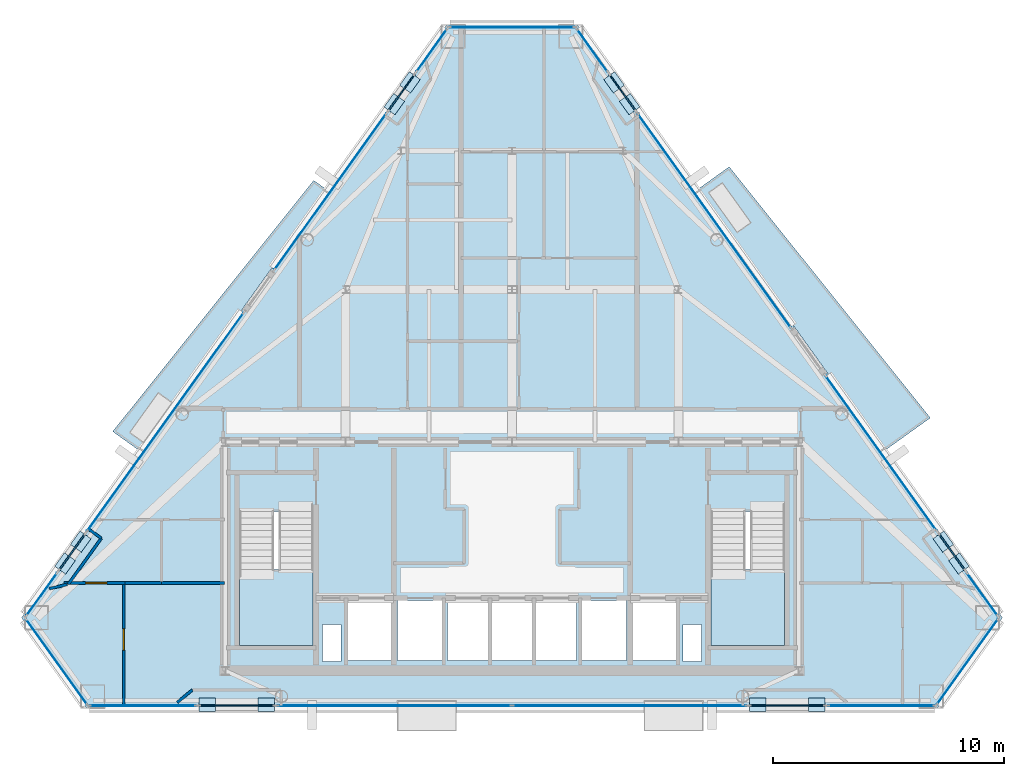
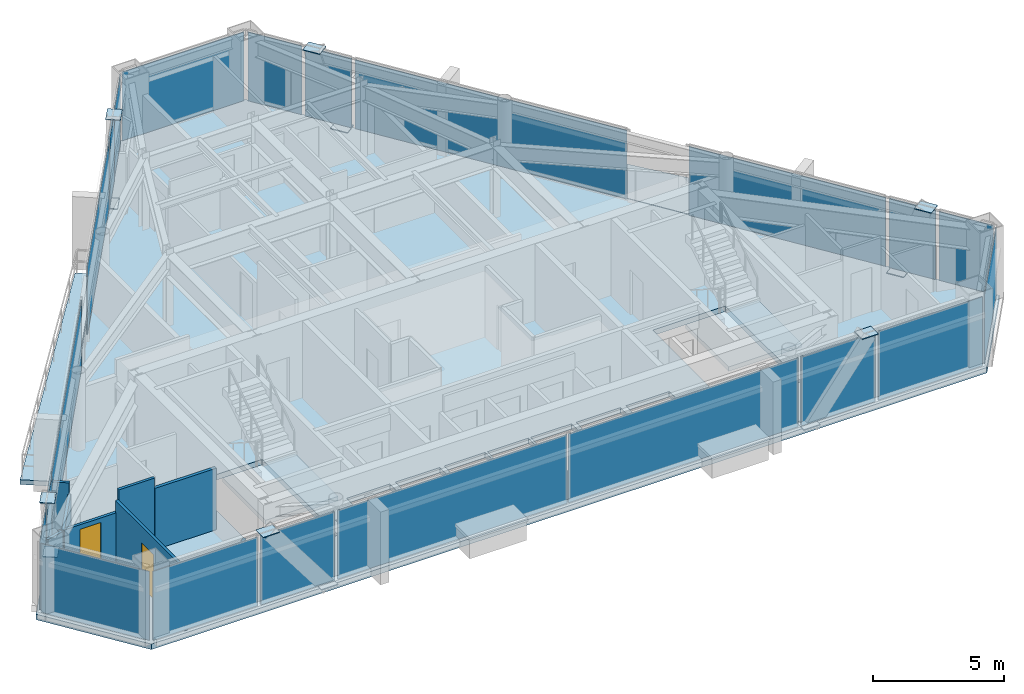
# One storey, part 6 of 11: 33 plates, 8 walls, 5 slabs, 2 doors, 2 openings, 22 elements without a shape of their own.
"""IFC4 building model written with IfcOpenShell, lengths in metres."""

from ifc_helpers import new_model, si_unit, direction, frame, frame_2d, origin, origin_2d, place, context, subcontext, project, spatial, polyline, rectangle, outline, extrude, source, transform, mapped, material, layer, layer_set, type_object, type_shapes, element, fill, aggregate, save


model = new_model("IFC4")

# Units and contexts
model_context = context("Model", 3, precision=1e-05, world=origin(), true_north=direction((0.0, 1.0)))
body_context = subcontext(model_context, "Body", "Model", "MODEL_VIEW")
ifc_project = project(units=[si_unit("LENGTHUNIT", "METRE"), si_unit("AREAUNIT", "SQUARE_METRE"), si_unit("VOLUMEUNIT", "CUBIC_METRE"), si_unit("PLANEANGLEUNIT", "RADIAN"), si_unit("MASSUNIT", "GRAM", prefix="KILO")], contexts=[model_context])

# Site, building, storey
site_placement = place(None, origin())
site = spatial("IfcSite", under=ifc_project, at=site_placement, CompositionType="ELEMENT")
building_placement = place(site_placement, origin())
building = spatial("IfcBuilding", under=site, at=building_placement, Name="Talgorran Terracotta Tower", CompositionType="ELEMENT")
storey_placement = place(building_placement, frame((0.0, 0.0, 237.0)))
storey = spatial("IfcBuildingStorey", under=building, at=storey_placement, Name="L62", CompositionType="ELEMENT", Elevation=237.0)

# Plates
ifc_material_1 = material(Name="Steel Grade 350 (350L0)", Category="steel")
ifc_layer_1 = layer(ifc_material_1, 0.031982421875, Name="PL_CAP_MN07")
ifc_layer_set_1 = layer_set([ifc_layer_1], Name="Steel Grade 350 (350L0)")
plate_type_1 = type_object("IfcPlateType", Name="PL_CAP_MN07", PredefinedType="USERDEFINED", material=ifc_layer_set_1)
for number, where, z_axis, x_axis, name in (
    (1, (-10.626708984375, -15.56787109375, -0.005859375), (0.0, 0.0, 1.0), (-1.0, 0.0, 0.0), "L62 Diagonal Frame End Cap SWF Bot"),
    (2, (-13.19189453125, -15.56787109375, 3.31884765625), (0.0, 0.0, 1.0), (-1.0, 0.0, 0.0), "L62 Diagonal Frame End Cap SWF Top"),
    (3, (10.626708984375, -15.56787109375, -0.005859375), (0.0, 0.0, 1.0), (1.0, 0.0, 0.0), "L62 Diagonal Frame End Cap SEF Bot"),
    (4, (13.19189453125, -15.56787109375, 3.31884765625), (0.0, 0.0, 1.0), (1.0, 0.0, 0.0), "L62 Diagonal Frame End Cap SEF Top"),
    (5, (18.66259765625, -8.510986328125, -0.005859375), (0.0, 0.0, 1.0), (0.582690479669, -0.812694164433, 0.0), "L62 Diagonal Frame End Cap NEL Bot"),
    (6, (19.33935546875, -9.455078125, 3.31884765625), (0.0, 0.0, 1.0), (0.582690479669, -0.812694164433, 0.0), "L62 Diagonal Frame End Cap NEL Top"),
    (7, (5.091796875, 10.417724609375, -0.005859375), (0.0, 0.0, 1.0), (-0.582690479669, 0.812694164433, 0.0), "L62 Diagonal Frame End Cap NEU Bot"),
    (8, (4.414794921875, 11.361572265625, 3.31884765625), (0.0, 0.0, 1.0), (-0.582690479669, 0.812694164433, 0.0), "L62 Diagonal Frame End Cap NEU Top"),
    (9, (-5.091796875, 10.417724609375, -0.005859375), (0.0, 0.0, 1.0), (0.582690479669, 0.812694164433, 0.0), "L62 Diagonal Frame End Cap NWU Bot"),
    (10, (-4.414794921875, 11.361572265625, 3.31884765625), (0.0, 0.0, 1.0), (0.582690479669, 0.812694164433, 0.0), "L62 Diagonal Frame End Cap NWU Top"),
    (11, (-18.66259765625, -8.510986328125, -0.005859375), (0.0, 0.0, 1.0), (-0.582690479669, -0.812694164433, 0.0), "L62 Diagonal Frame End Cap NWL Bot"),
    (12, (-19.33935546875, -9.455078125, 3.31884765625), (0.0, 0.0, 1.0), (-0.582690479669, -0.812694164433, 0.0), "L62 Diagonal Frame End Cap NWL Top"),
):
    element("IfcPlate", number, at=place(storey_placement, frame(where, z_axis=z_axis, x_axis=x_axis)), inside=storey, type_object=plate_type_1, Name=name, ObjectType="CAP PLATE", PredefinedType="USERDEFINED", context=body_context, shape_type="SweptSolid", body=[
        extrude(rectangle(XDim=0.719970703125, YDim=0.580078125, at=origin_2d()), origin(), (0.0, 0.0, 1.0), 0.031982421875),
    ])

# Slabs
ifc_material_2 = material(Name="Concrete C40/50", Category="concrete")
ifc_layer_2 = layer(ifc_material_2, 0.219970703125, Name="SL_BALCONY_220")
ifc_layer_set_2 = layer_set([ifc_layer_2], Name="Concrete C40/50")
slab_type_1 = type_object("IfcSlabType", Name="SL_BALCONY_220", PredefinedType="FLOOR", material=ifc_layer_set_2)
slab_1_placement = place(storey_placement, frame((0.0, 0.0, -0.219970703125)))
element("IfcSlab", 13, at=slab_1_placement, inside=storey, type_object=slab_type_1, Name="L62 Outdoor Wave Balcony BAL-NE", PredefinedType="FLOOR", context=body_context, shape_type="SweptSolid", body=[
    extrude(outline(polyline([(7.97998046875, 6.689697265625), (16.077880859375, -4.60546875), (18.098388671875, -3.15673828125), (9.398681640625, 7.706787109375), (7.97998046875, 6.689697265625)])), origin(), (0.0, 0.0, 1.0), 0.219970703125),
])
slab_2_placement = place(storey_placement, frame((0.0, 0.0, -0.219970703125)))
element("IfcSlab", 14, at=slab_2_placement, inside=storey, type_object=slab_type_1, Name="L62 Outdoor Wave Balcony BAL-NW", PredefinedType="FLOOR", context=body_context, shape_type="SweptSolid", body=[
    extrude(outline(polyline([(-16.077880859375, -4.60546875), (-7.97998046875, 6.689697265625), (-8.576171875, 7.1171875), (-17.27587890625, -3.74658203125), (-16.077880859375, -4.60546875)])), origin(), (0.0, 0.0, 1.0), 0.219970703125),
])

# Stair, slab
stair_type = type_object("IfcStairType", Name="ST_FIRE_SCISSOR", PredefinedType="HALF_TURN_STAIR", material=ifc_material_2)
stair_1_placement = place(storey_placement, origin())
stair_1 = element("IfcStair", 15, at=stair_1_placement, inside=storey, type_object=stair_type, Name="L62 West Protected Fire Stair ST-01", PredefinedType="HALF_TURN_STAIR")
ifc_layer_3 = layer(ifc_material_2, 0.199951171875, Name="SL_LANDING_200")
ifc_layer_set_3 = layer_set([ifc_layer_3], Name="Concrete C40/50")
slab_type_2 = type_object("IfcSlabType", Name="SL_LANDING_200", PredefinedType="LANDING", material=ifc_layer_set_3)
slab_3_placement = place(storey_placement, frame((0.0, 0.0, 1.60009765625)))
slab_3 = element("IfcSlab", 16, at=slab_3_placement, type_object=slab_type_2, Name="ST-01 landing 1", PredefinedType="LANDING", context=body_context, shape_type="SweptSolid", body=[
    extrude(outline(polyline([(-11.800048828125, -9.719970703125), (-11.800048828125, -13.0), (-8.60009765625, -13.0), (-8.60009765625, -9.719970703125), (-11.800048828125, -9.719970703125)])), origin(), (0.0, 0.0, 1.0), 0.199951171875),
])
aggregate(stair_1, [slab_3])

stair_2_placement = place(storey_placement, origin())
stair_2 = element("IfcStair", 17, at=stair_2_placement, inside=storey, type_object=stair_type, Name="L62 East Protected Fire Stair ST-02", PredefinedType="HALF_TURN_STAIR")
slab_4_placement = place(storey_placement, frame((0.0, 0.0, 1.60009765625)))
slab_4 = element("IfcSlab", 18, at=slab_4_placement, type_object=slab_type_2, Name="ST-02 landing 1", PredefinedType="LANDING", context=body_context, shape_type="SweptSolid", body=[
    extrude(outline(polyline([(8.60009765625, -9.719970703125), (8.60009765625, -13.0), (11.800048828125, -13.0), (11.800048828125, -9.719970703125), (8.60009765625, -9.719970703125)])), origin(), (0.0, 0.0, 1.0), 0.199951171875),
])
aggregate(stair_2, [slab_4])

# Slab
ifc_layer_4 = layer(ifc_material_2, 0.2548828125, Name="SL_TOWER_235")
ifc_layer_set_4 = layer_set([ifc_layer_4], Name="Concrete C40/50")
slab_type_3 = type_object("IfcSlabType", Name="SL_TOWER_235", PredefinedType="FLOOR", material=ifc_layer_set_4)
slab_5_placement = place(storey_placement, frame((0.0, 0.0, -0.2548828125)))
element("IfcSlab", 19, at=slab_5_placement, inside=storey, type_object=slab_type_3, Name="Storey L62 Structural Floor Slab", PredefinedType="FLOOR", context=body_context, shape_type="SweptSolid", body=[
    extrude(outline(polyline([(-21.21875, -11.802001953125), (-18.404296875, -15.727783203125), (18.404296875, -15.727783203125), (21.21875, -11.802001953125), (2.814453125, 13.86865234375), (-2.814453125, 13.86865234375), (-21.21875, -11.802001953125)]), holes=[polyline([(-11.800048828125, -7.199951171875), (-11.800048828125, -13.0), (-8.60009765625, -13.0), (-8.60009765625, -7.199951171875), (-11.800048828125, -7.199951171875)]), polyline([(8.60009765625, -7.199951171875), (8.60009765625, -13.0), (11.800048828125, -13.0), (11.800048828125, -7.199951171875), (8.60009765625, -7.199951171875)]), polyline([(-7.10009765625, -13.64990234375), (-5.199951171875, -13.64990234375), (-5.199951171875, -11.050048828125), (-7.10009765625, -11.050048828125), (-7.10009765625, -13.64990234375)]), polyline([(5.199951171875, -13.64990234375), (7.10009765625, -13.64990234375), (7.10009765625, -11.050048828125), (5.199951171875, -11.050048828125), (5.199951171875, -13.64990234375)]), polyline([(3.0, -13.64990234375), (4.949951171875, -13.64990234375), (4.949951171875, -11.050048828125), (3.0, -11.050048828125), (3.0, -13.64990234375)]), polyline([(-4.949951171875, -13.64990234375), (-3.0, -13.64990234375), (-3.0, -11.050048828125), (-4.949951171875, -11.050048828125), (-4.949951171875, -13.64990234375)]), polyline([(-2.800048828125, -13.64990234375), (-1.0, -13.64990234375), (-1.0, -11.050048828125), (-2.800048828125, -11.050048828125), (-2.800048828125, -13.64990234375)]), polyline([(-0.89990234375, -13.64990234375), (0.89990234375, -13.64990234375), (0.89990234375, -11.050048828125), (-0.89990234375, -11.050048828125), (-0.89990234375, -13.64990234375)]), polyline([(1.0, -13.64990234375), (2.800048828125, -13.64990234375), (2.800048828125, -11.050048828125), (1.0, -11.050048828125), (1.0, -13.64990234375)]), polyline([(-8.199951171875, -13.699951171875), (-7.39990234375, -13.699951171875), (-7.39990234375, -12.10009765625), (-8.199951171875, -12.10009765625), (-8.199951171875, -13.699951171875)]), polyline([(7.39990234375, -13.699951171875), (8.199951171875, -13.699951171875), (8.199951171875, -12.10009765625), (7.39990234375, -12.10009765625), (7.39990234375, -13.699951171875)])]), origin(), (0.0, 0.0, 1.0), 0.2548828125),
])

# Curtain wall, plate
ifc_material_3 = material(Name="High-Wind Unitised Glazing", Category="glass")
ifc_layer_5 = layer(ifc_material_3, 0.2099609375, Name="CW_SYS3_RES_HIGH")
ifc_layer_set_5 = layer_set([ifc_layer_5], Name="High-Wind Unitised Glazing")
curtain_wall_type = type_object("IfcCurtainWallType", Name="CW_SYS3_RES_HIGH", PredefinedType="NOTDEFINED", material=ifc_layer_set_5)
curtain_wall_1_placement = place(storey_placement, origin())
curtain_wall_1 = element("IfcCurtainWall", 20, at=curtain_wall_1_placement, inside=storey, type_object=curtain_wall_type, Name="CW-L62-F0", PredefinedType="NOTDEFINED")
ifc_material_4 = material(Name="High-Wind Acoustic Vision Glass", Category="glass")
ifc_layer_6 = layer(ifc_material_4, 0.031982421875, Name="PLT_VISION_32")
ifc_layer_set_6 = layer_set([ifc_layer_6], Name="High-Wind Acoustic Vision Glass")
plate_type_2 = type_object("IfcPlateType", Name="PLT_VISION_32", PredefinedType="CURTAIN_PANEL", material=ifc_layer_set_6)
shared_shape_1 = source(origin(), body_context, "Body", "SweptSolid", [
    extrude(rectangle(XDim=4.542724609375, YDim=0.031982421875, at=origin_2d()), origin(), (0.0, 0.0, 1.0), 3.205078125),
])
plate_1_placement = place(storey_placement, frame((-19.706787109375, -13.704833984375, 0.070068359375), z_axis=(0.0, 0.0, 1.0), x_axis=(0.582661427396, -0.812714993724, 0.0)))
plate_1 = element("IfcPlate", 21, at=plate_1_placement, type_object=plate_type_2, Name="CW-L62-0 panel 1.1", PredefinedType="CURTAIN_PANEL", context=body_context, shape_type="MappedRepresentation", body=[
    mapped(shared_shape_1, transform((0.0, 0.0, 0.0), scale=1.0)),
])
aggregate(curtain_wall_1, [plate_1])

curtain_wall_2_placement = place(storey_placement, origin())
curtain_wall_2 = element("IfcCurtainWall", 22, at=curtain_wall_2_placement, inside=storey, type_object=curtain_wall_type, Name="CW-L62-F2", PredefinedType="NOTDEFINED")
plate_2_placement = place(storey_placement, frame((19.706787109375, -13.704833984375, 0.070068359375), z_axis=(0.0, 0.0, 1.0), x_axis=(0.582661427396, 0.812714993724, 0.0)))
plate_2 = element("IfcPlate", 23, at=plate_2_placement, type_object=plate_type_2, Name="CW-L62-2 panel 1.1", PredefinedType="CURTAIN_PANEL", context=body_context, shape_type="MappedRepresentation", body=[
    mapped(shared_shape_1, transform((0.0, 0.0, 0.0), scale=1.0)),
])
aggregate(curtain_wall_2, [plate_2])

curtain_wall_3_placement = place(storey_placement, origin())
curtain_wall_3 = element("IfcCurtainWall", 24, at=curtain_wall_3_placement, inside=storey, type_object=curtain_wall_type, Name="CW-L62-F1B", PredefinedType="NOTDEFINED")
ifc_material_5 = material(Name="Terracotta Insulated Spandrel", Category="masonry")
ifc_layer_7 = layer(ifc_material_5, 0.06494140625, Name="PLT_SPANDREL_TERRA")
ifc_layer_set_7 = layer_set([ifc_layer_7], Name="Terracotta Insulated Spandrel")
plate_type_3 = type_object("IfcPlateType", Name="PLT_SPANDREL_TERRA", PredefinedType="SHEET", material=ifc_layer_set_7)
shared_shape_2 = source(origin(), body_context, "Body", "SweptSolid", [
    extrude(rectangle(XDim=3.24169921875, YDim=0.06494140625, at=origin_2d()), origin(), (0.0, 0.0, 1.0), 3.205078125),
])
plate_3_placement = place(storey_placement, frame((-11.9091796875, -15.60791015625, 0.070068359375), z_axis=(0.0, 0.0, 1.0), x_axis=(1.0, 0.0, 0.0)))
plate_3 = element("IfcPlate", 25, at=plate_3_placement, type_object=plate_type_3, Name="CW-L62-1B panel 1.1", PredefinedType="CURTAIN_PANEL", context=body_context, shape_type="MappedRepresentation", body=[
    mapped(shared_shape_2, transform((0.0, 0.0, 0.0), scale=1.0)),
])
aggregate(curtain_wall_3, [plate_3])

curtain_wall_4_placement = place(storey_placement, origin())
curtain_wall_4 = element("IfcCurtainWall", 26, at=curtain_wall_4_placement, inside=storey, type_object=curtain_wall_type, Name="CW-L62-F1D", PredefinedType="NOTDEFINED")
plate_4_placement = place(storey_placement, frame((11.9091796875, -15.60791015625, 0.070068359375), z_axis=(0.0, 0.0, 1.0), x_axis=(1.0, 0.0, 0.0)))
plate_4 = element("IfcPlate", 27, at=plate_4_placement, type_object=plate_type_3, Name="CW-L62-1D panel 1.1", PredefinedType="CURTAIN_PANEL", context=body_context, shape_type="MappedRepresentation", body=[
    mapped(shared_shape_2, transform((0.0, 0.0, 0.0), scale=1.0)),
])
aggregate(curtain_wall_4, [plate_4])

curtain_wall_5_placement = place(storey_placement, origin())
curtain_wall_5 = element("IfcCurtainWall", 28, at=curtain_wall_5_placement, inside=storey, type_object=curtain_wall_type, Name="CW-L62-F40B", PredefinedType="NOTDEFINED")
shared_shape_3 = source(origin(), body_context, "Body", "SweptSolid", [
    extrude(rectangle(XDim=1.93603515625, YDim=0.06494140625, at=origin_2d()), origin(), (0.0, 0.0, 1.0), 3.205078125),
])
type_shapes(plate_type_3, [shared_shape_2, shared_shape_3])
plate_5_placement = place(storey_placement, frame((19.033447265625, -8.959716796875, 0.070068359375), z_axis=(0.0, 0.0, 1.0), x_axis=(-0.582681770259, 0.812700408888, 0.0)))
plate_5 = element("IfcPlate", 29, at=plate_5_placement, type_object=plate_type_3, Name="CW-L62-40B panel 1.1", PredefinedType="CURTAIN_PANEL", context=body_context, shape_type="MappedRepresentation", body=[
    mapped(shared_shape_3, transform((0.0, 0.0, 0.0), scale=1.0)),
])
aggregate(curtain_wall_5, [plate_5])

curtain_wall_6_placement = place(storey_placement, origin())
curtain_wall_6 = element("IfcCurtainWall", 30, at=curtain_wall_6_placement, inside=storey, type_object=curtain_wall_type, Name="CW-L62-F41B", PredefinedType="NOTDEFINED")
plate_6_placement = place(storey_placement, frame((4.785888671875, 10.9130859375, 0.070068359375), z_axis=(0.0, 0.0, 1.0), x_axis=(-0.582658959537, 0.812716763006, 0.0)))
plate_6 = element("IfcPlate", 31, at=plate_6_placement, type_object=plate_type_3, Name="CW-L62-41B panel 1.1", PredefinedType="CURTAIN_PANEL", context=body_context, shape_type="MappedRepresentation", body=[
    mapped(shared_shape_3, transform((0.0, 0.0, 0.0), scale=1.0)),
])
aggregate(curtain_wall_6, [plate_6])

curtain_wall_7_placement = place(storey_placement, origin())
curtain_wall_7 = element("IfcCurtainWall", 32, at=curtain_wall_7_placement, inside=storey, type_object=curtain_wall_type, Name="CW-L62-F60B", PredefinedType="NOTDEFINED")
plate_7_placement = place(storey_placement, frame((-4.785888671875, 10.9130859375, 0.070068359375), z_axis=(0.0, 0.0, 1.0), x_axis=(-0.582658959537, -0.812716763006, 0.0)))
plate_7 = element("IfcPlate", 33, at=plate_7_placement, type_object=plate_type_3, Name="CW-L62-60B panel 1.1", PredefinedType="CURTAIN_PANEL", context=body_context, shape_type="MappedRepresentation", body=[
    mapped(shared_shape_3, transform((0.0, 0.0, 0.0), scale=1.0)),
])
aggregate(curtain_wall_7, [plate_7])

curtain_wall_8_placement = place(storey_placement, origin())
curtain_wall_8 = element("IfcCurtainWall", 34, at=curtain_wall_8_placement, inside=storey, type_object=curtain_wall_type, Name="CW-L62-F61B", PredefinedType="NOTDEFINED")
plate_8_placement = place(storey_placement, frame((-19.033447265625, -8.959716796875, 0.070068359375), z_axis=(0.0, 0.0, 1.0), x_axis=(-0.582681770259, -0.812700408888, 0.0)))
plate_8 = element("IfcPlate", 35, at=plate_8_placement, type_object=plate_type_3, Name="CW-L62-61B panel 1.1", PredefinedType="CURTAIN_PANEL", context=body_context, shape_type="MappedRepresentation", body=[
    mapped(shared_shape_3, transform((0.0, 0.0, 0.0), scale=1.0)),
])
aggregate(curtain_wall_8, [plate_8])

curtain_wall_9_placement = place(storey_placement, origin())
curtain_wall_9 = element("IfcCurtainWall", 36, at=curtain_wall_9_placement, inside=storey, type_object=curtain_wall_type, Name="CW-L62-F4", PredefinedType="NOTDEFINED")
shared_shape_4 = source(origin(), body_context, "Body", "SweptSolid", [
    extrude(rectangle(XDim=5.36572265625, YDim=0.031982421875, at=origin_2d()), origin(), (0.0, 0.0, 1.0), 3.205078125),
])
plate_9_placement = place(storey_placement, frame((0.0, 13.74853515625, 0.070068359375), z_axis=(0.0, 0.0, 1.0), x_axis=(-1.0, 0.0, 0.0)))
plate_9 = element("IfcPlate", 37, at=plate_9_placement, type_object=plate_type_2, Name="CW-L62-4 panel 1.1", PredefinedType="CURTAIN_PANEL", context=body_context, shape_type="MappedRepresentation", body=[
    mapped(shared_shape_4, transform((0.0, 0.0, 0.0), scale=1.0)),
])
aggregate(curtain_wall_9, [plate_9])

curtain_wall_10_placement = place(storey_placement, origin())
curtain_wall_10 = element("IfcCurtainWall", 38, at=curtain_wall_10_placement, inside=storey, type_object=curtain_wall_type, Name="CW-L62-F1", PredefinedType="NOTDEFINED")
shared_shape_5 = source(origin(), body_context, "Body", "SweptSolid", [
    extrude(rectangle(XDim=4.592529296875, YDim=0.031982421875, at=origin_2d()), origin(), (0.0, 0.0, 1.0), 3.205078125),
])
plate_10_placement = place(storey_placement, frame((-15.976318359375, -15.60791015625, 0.070068359375), z_axis=(0.0, 0.0, 1.0), x_axis=(1.0, 0.0, 0.0)))
plate_10 = element("IfcPlate", 39, at=plate_10_placement, type_object=plate_type_2, Name="CW-L62-1 panel 1.1", PredefinedType="CURTAIN_PANEL", context=body_context, shape_type="MappedRepresentation", body=[
    mapped(shared_shape_5, transform((0.0, 0.0, 0.0), scale=1.0)),
])
aggregate(curtain_wall_10, [plate_10])

curtain_wall_11_placement = place(storey_placement, origin())
curtain_wall_11 = element("IfcCurtainWall", 40, at=curtain_wall_11_placement, inside=storey, type_object=curtain_wall_type, Name="CW-L62-F1E", PredefinedType="NOTDEFINED")
plate_11_placement = place(storey_placement, frame((15.976318359375, -15.60791015625, 0.070068359375), z_axis=(0.0, 0.0, 1.0), x_axis=(1.0, 0.0, 0.0)))
plate_11 = element("IfcPlate", 41, at=plate_11_placement, type_object=plate_type_2, Name="CW-L62-1E panel 1.1", PredefinedType="CURTAIN_PANEL", context=body_context, shape_type="MappedRepresentation", body=[
    mapped(shared_shape_5, transform((0.0, 0.0, 0.0), scale=1.0)),
])
aggregate(curtain_wall_11, [plate_11])

# Curtain wall, plates
curtain_wall_12_placement = place(storey_placement, origin())
curtain_wall_12 = element("IfcCurtainWall", 42, at=curtain_wall_12_placement, inside=storey, type_object=curtain_wall_type, Name="CW-L62-F1C", PredefinedType="NOTDEFINED")
shared_shape_6 = source(origin(), body_context, "Body", "SweptSolid", [
    extrude(rectangle(XDim=10.103515625, YDim=0.031982421875, at=origin_2d()), origin(), (0.0, 0.0, 1.0), 3.205078125),
])
plate_12_placement = place(storey_placement, frame((-5.086669921875, -15.60791015625, 0.070068359375), z_axis=(0.0, 0.0, 1.0), x_axis=(1.0, 0.0, 0.0)))
plate_12 = element("IfcPlate", 43, at=plate_12_placement, type_object=plate_type_2, Name="CW-L62-1C panel 1.1", PredefinedType="CURTAIN_PANEL", context=body_context, shape_type="MappedRepresentation", body=[
    mapped(shared_shape_6, transform((0.0, 0.0, 0.0), scale=1.0)),
])
plate_13_placement = place(storey_placement, frame((5.086669921875, -15.60791015625, 0.070068359375), z_axis=(0.0, 0.0, 1.0), x_axis=(1.0, 0.0, 0.0)))
plate_13 = element("IfcPlate", 44, at=plate_13_placement, type_object=plate_type_2, Name="CW-L62-1C panel 2.1", PredefinedType="CURTAIN_PANEL", context=body_context, shape_type="MappedRepresentation", body=[
    mapped(shared_shape_6, transform((0.0, 0.0, 0.0), scale=1.0)),
])
aggregate(curtain_wall_12, [plate_12, plate_13])

# Curtain wall, plate
curtain_wall_13_placement = place(storey_placement, origin())
curtain_wall_13 = element("IfcCurtainWall", 45, at=curtain_wall_13_placement, inside=storey, type_object=curtain_wall_type, Name="CW-L62-F40", PredefinedType="NOTDEFINED")
shared_shape_7 = source(origin(), body_context, "Body", "SweptSolid", [
    extrude(rectangle(XDim=2.269287109375, YDim=0.031982421875, at=origin_2d()), origin(), (0.0, 0.0, 1.0), 3.205078125),
])
plate_14_placement = place(storey_placement, frame((20.345947265625, -10.79052734375, 0.070068359375), z_axis=(0.0, 0.0, 1.0), x_axis=(-0.582674324698, 0.81270574708, 0.0)))
plate_14 = element("IfcPlate", 46, at=plate_14_placement, type_object=plate_type_2, Name="CW-L62-40 panel 1.1", PredefinedType="CURTAIN_PANEL", context=body_context, shape_type="MappedRepresentation", body=[
    mapped(shared_shape_7, transform((0.0, 0.0, 0.0), scale=1.0)),
])
aggregate(curtain_wall_13, [plate_14])

curtain_wall_14_placement = place(storey_placement, origin())
curtain_wall_14 = element("IfcCurtainWall", 47, at=curtain_wall_14_placement, inside=storey, type_object=curtain_wall_type, Name="CW-L62-F61C", PredefinedType="NOTDEFINED")
plate_15_placement = place(storey_placement, frame((-20.345947265625, -10.79052734375, 0.070068359375), z_axis=(0.0, 0.0, 1.0), x_axis=(-0.582674324698, -0.81270574708, 0.0)))
plate_15 = element("IfcPlate", 48, at=plate_15_placement, type_object=plate_type_2, Name="CW-L62-61C panel 1.1", PredefinedType="CURTAIN_PANEL", context=body_context, shape_type="MappedRepresentation", body=[
    mapped(shared_shape_7, transform((0.0, 0.0, 0.0), scale=1.0)),
])
aggregate(curtain_wall_14, [plate_15])

curtain_wall_15_placement = place(storey_placement, origin())
curtain_wall_15 = element("IfcCurtainWall", 49, at=curtain_wall_15_placement, inside=storey, type_object=curtain_wall_type, Name="CW-L62-F40C", PredefinedType="NOTDEFINED")
shared_shape_8 = source(origin(), body_context, "Body", "SweptSolid", [
    extrude(rectangle(XDim=8.243408203125, YDim=0.031982421875, at=origin_2d()), origin(), (0.0, 0.0, 1.0), 3.205078125),
])
plate_16_placement = place(storey_placement, frame((15.98046875, -4.701416015625, 0.070068359375), z_axis=(0.0, 0.0, 1.0), x_axis=(-0.582669191909, 0.81270942704, 0.0)))
plate_16 = element("IfcPlate", 50, at=plate_16_placement, type_object=plate_type_2, Name="CW-L62-40C panel 1.1", PredefinedType="CURTAIN_PANEL", context=body_context, shape_type="MappedRepresentation", body=[
    mapped(shared_shape_8, transform((0.0, 0.0, 0.0), scale=1.0)),
])
aggregate(curtain_wall_15, [plate_16])

curtain_wall_16_placement = place(storey_placement, origin())
curtain_wall_16 = element("IfcCurtainWall", 51, at=curtain_wall_16_placement, inside=storey, type_object=curtain_wall_type, Name="CW-L62-F41", PredefinedType="NOTDEFINED")
shared_shape_9 = source(origin(), body_context, "Body", "SweptSolid", [
    extrude(rectangle(XDim=11.373046875, YDim=0.031982421875, at=origin_2d()), origin(), (0.0, 0.0, 1.0), 3.205078125),
])
plate_17_placement = place(storey_placement, frame((8.750732421875, 5.3828125, 0.070068359375), z_axis=(0.0, 0.0, 1.0), x_axis=(-0.582663635617, 0.812713410576, 0.0)))
plate_17 = element("IfcPlate", 52, at=plate_17_placement, type_object=plate_type_2, Name="CW-L62-41 panel 1.1", PredefinedType="CURTAIN_PANEL", context=body_context, shape_type="MappedRepresentation", body=[
    mapped(shared_shape_9, transform((0.0, 0.0, 0.0), scale=1.0)),
])
aggregate(curtain_wall_16, [plate_17])

curtain_wall_17_placement = place(storey_placement, origin())
curtain_wall_17 = element("IfcCurtainWall", 53, at=curtain_wall_17_placement, inside=storey, type_object=curtain_wall_type, Name="CW-L62-F41C", PredefinedType="NOTDEFINED")
shared_shape_10 = source(origin(), body_context, "Body", "SweptSolid", [
    extrude(rectangle(XDim=2.260986328125, YDim=0.031982421875, at=origin_2d()), origin(), (0.0, 0.0, 1.0), 3.205078125),
])
plate_18_placement = place(storey_placement, frame((3.4755859375, 12.740478515625, 0.070068359375), z_axis=(0.0, 0.0, 1.0), x_axis=(-0.582655594296, 0.812719175629, 0.0)))
plate_18 = element("IfcPlate", 54, at=plate_18_placement, type_object=plate_type_2, Name="CW-L62-41C panel 1.1", PredefinedType="CURTAIN_PANEL", context=body_context, shape_type="MappedRepresentation", body=[
    mapped(shared_shape_10, transform((0.0, 0.0, 0.0), scale=1.0)),
])
aggregate(curtain_wall_17, [plate_18])

curtain_wall_18_placement = place(storey_placement, origin())
curtain_wall_18 = element("IfcCurtainWall", 55, at=curtain_wall_18_placement, inside=storey, type_object=curtain_wall_type, Name="CW-L62-F60", PredefinedType="NOTDEFINED")
plate_19_placement = place(storey_placement, frame((-3.4755859375, 12.740478515625, 0.070068359375), z_axis=(0.0, 0.0, 1.0), x_axis=(-0.582655594296, -0.812719175629, 0.0)))
plate_19 = element("IfcPlate", 56, at=plate_19_placement, type_object=plate_type_2, Name="CW-L62-60 panel 1.1", PredefinedType="CURTAIN_PANEL", context=body_context, shape_type="MappedRepresentation", body=[
    mapped(shared_shape_10, transform((0.0, 0.0, 0.0), scale=1.0)),
])
aggregate(curtain_wall_18, [plate_19])

curtain_wall_19_placement = place(storey_placement, origin())
curtain_wall_19 = element("IfcCurtainWall", 57, at=curtain_wall_19_placement, inside=storey, type_object=curtain_wall_type, Name="CW-L62-F60C", PredefinedType="NOTDEFINED")
shared_shape_11 = source(origin(), body_context, "Body", "SweptSolid", [
    extrude(rectangle(XDim=8.2978515625, YDim=0.031982421875, at=origin_2d()), origin(), (0.0, 0.0, 1.0), 3.205078125),
])
plate_20_placement = place(storey_placement, frame((-7.854736328125, 6.632568359375, 0.070068359375), z_axis=(0.0, 0.0, 1.0), x_axis=(-0.582664437993, -0.812712835323, 0.0)))
plate_20 = element("IfcPlate", 58, at=plate_20_placement, type_object=plate_type_2, Name="CW-L62-60C panel 1.1", PredefinedType="CURTAIN_PANEL", context=body_context, shape_type="MappedRepresentation", body=[
    mapped(shared_shape_11, transform((0.0, 0.0, 0.0), scale=1.0)),
])
aggregate(curtain_wall_19, [plate_20])

curtain_wall_20_placement = place(storey_placement, origin())
curtain_wall_20 = element("IfcCurtainWall", 59, at=curtain_wall_20_placement, inside=storey, type_object=curtain_wall_type, Name="CW-L62-F61", PredefinedType="NOTDEFINED")
shared_shape_12 = source(origin(), body_context, "Body", "SweptSolid", [
    extrude(rectangle(XDim=11.61865234375, YDim=0.031982421875, at=origin_2d()), origin(), (0.0, 0.0, 1.0), 3.205078125),
])
type_shapes(plate_type_2, [shared_shape_1, shared_shape_4, shared_shape_5, shared_shape_6, shared_shape_7, shared_shape_8, shared_shape_9, shared_shape_10, shared_shape_11, shared_shape_12])
plate_21_placement = place(storey_placement, frame((-14.9970703125, -3.329833984375, 0.070068359375), z_axis=(0.0, 0.0, 1.0), x_axis=(-0.582667637008, -0.812710541819, 0.0)))
plate_21 = element("IfcPlate", 60, at=plate_21_placement, type_object=plate_type_2, Name="CW-L62-61 panel 1.1", PredefinedType="CURTAIN_PANEL", context=body_context, shape_type="MappedRepresentation", body=[
    mapped(shared_shape_12, transform((0.0, 0.0, 0.0), scale=1.0)),
])
aggregate(curtain_wall_20, [plate_21])

# Wall, opening, door
ifc_material_6 = material(Name="Insulated Steel Stud Plasterboard", Category="steel")
ifc_layer_8 = layer(ifc_material_6, 0.1201171875, Name="WT_PART_120")
ifc_layer_set_8 = layer_set([ifc_layer_8], Name="Insulated Steel Stud Plasterboard")
wall_type_1 = type_object("IfcWallType", Name="WT_PART_120", PredefinedType="PARTITIONING", material=ifc_layer_set_8)
wall_1_placement = place(storey_placement, frame((-16.800048828125, -15.60791015625, 0.0), z_axis=(0.0, 0.0, 1.0), x_axis=(0.0, 1.0, 0.0)))
wall_1 = element("IfcWall", 61, at=wall_1_placement, inside=storey, type_object=wall_type_1, Name="WL-L62-W-L62-R16", PredefinedType="PARTITIONING", context=body_context, shape_type="SweptSolid", body=[
    extrude(rectangle(XDim=5.307861328125, YDim=0.1201171875, at=frame_2d((2.65380859375, 0.0))), origin(), (0.0, 0.0, 1.0), 2.863037109375),
])
opening_1_placement = place(wall_1_placement, frame((2.402099609375, 0.0, 0.0)))
opening_1 = element("IfcOpeningElement", 62, at=opening_1_placement, cuts=wall_1, Name="Opening DR-L62-R05", PredefinedType="OPENING", context=body_context, shape_type="SweptSolid", body=[
    extrude(rectangle(XDim=0.925921875, YDim=2.10409765625, at=frame_2d((0.4599609375, 1.052001953125))), frame((0.0, 0.070068359375, 0.0), z_axis=(0.0, -1.0, 0.0), x_axis=(1.0, 0.0, 0.0)), (0.0, 0.0, 1.0), 0.14013671875),
])
ifc_material_7 = material(Name="Solid-Core Painted Timber", Category="wood")
door_type = type_object("IfcDoorType", Name="DT_INT_920", OperationType="NOTDEFINED", PredefinedType="DOOR", material=ifc_material_7)
door_1_placement = place(opening_1_placement, origin())
door_1 = element("IfcDoor", 63, at=door_1_placement, inside=storey, type_object=door_type, Name="DR-L62-R05", OperationType="SINGLE_SWING_LEFT", OverallHeight=2.10009765625, OverallWidth=0.919921875, PredefinedType="DOOR", context=body_context, shape_type="SweptSolid", body=[
    extrude(rectangle(XDim=0.919921875, YDim=2.10009765625, at=frame_2d((0.4599609375, 1.050048828125))), frame((0.0, 0.02490234375, 0.0), z_axis=(0.0, -1.0, 0.0), x_axis=(1.0, 0.0, 0.0)), (0.0, 0.0, 1.0), 0.050048828125),
])
fill(opening_1, door_1)

wall_2_placement = place(storey_placement, frame((-19.3798828125, -10.300048828125, 0.0), z_axis=(0.0, 0.0, 1.0), x_axis=(1.0, 0.0, 0.0)))
wall_2 = element("IfcWall", 64, at=wall_2_placement, inside=storey, type_object=wall_type_1, Name="WL-L62-W-L62-R14", PredefinedType="PARTITIONING", context=body_context, shape_type="SweptSolid", body=[
    extrude(rectangle(XDim=2.639892578125, YDim=0.1201171875, at=frame_2d((1.31982421875, 0.0))), origin(), (0.0, 0.0, 1.0), 2.320068359375),
])
opening_2_placement = place(wall_2_placement, frame((0.9306640625, 0.0, 0.0)))
opening_2 = element("IfcOpeningElement", 65, at=opening_2_placement, cuts=wall_2, Name="Opening DR-L62-R04", PredefinedType="OPENING", context=body_context, shape_type="SweptSolid", body=[
    extrude(rectangle(XDim=0.925921875, YDim=2.10409765625, at=frame_2d((0.4599609375, 1.052001953125))), frame((0.0, 0.070068359375, 0.0), z_axis=(0.0, -1.0, 0.0), x_axis=(1.0, 0.0, 0.0)), (0.0, 0.0, 1.0), 0.14013671875),
])
door_2_placement = place(opening_2_placement, origin())
door_2 = element("IfcDoor", 66, at=door_2_placement, inside=storey, type_object=door_type, Name="DR-L62-R04", OperationType="SINGLE_SWING_RIGHT", OverallHeight=2.10009765625, OverallWidth=0.919921875, PredefinedType="DOOR", context=body_context, shape_type="SweptSolid", body=[
    extrude(rectangle(XDim=0.919921875, YDim=2.10009765625, at=frame_2d((0.4599609375, 1.050048828125))), frame((0.0, 0.02490234375, 0.0), z_axis=(0.0, -1.0, 0.0), x_axis=(1.0, 0.0, 0.0)), (0.0, 0.0, 1.0), 0.050048828125),
])
fill(opening_2, door_2)

# Walls
wall_3_placement = place(storey_placement, frame((-17.76953125, -8.364013671875, 0.0), z_axis=(0.0, 0.0, 1.0), x_axis=(-0.582741361536, -0.812657680426, 0.0)))
element("IfcWall", 67, at=wall_3_placement, inside=storey, type_object=wall_type_1, Name="WL-L62-BW-L62-08", PredefinedType="PARTITIONING", context=body_context, shape_type="SweptSolid", body=[
    extrude(rectangle(XDim=2.441162109375, YDim=0.1201171875, at=frame_2d((1.220703125, 0.0))), origin(), (0.0, 0.0, 1.0), 2.320068359375),
])
wall_4_placement = place(storey_placement, frame((-16.738037109375, -10.300048828125, 0.0), z_axis=(0.0, 0.0, 1.0), x_axis=(1.0, 0.0, 0.0)))
element("IfcWall", 68, at=wall_4_placement, inside=storey, type_object=wall_type_1, Name="WL-L62-W-L62-R15", PredefinedType="PARTITIONING", context=body_context, shape_type="SweptSolid", body=[
    extrude(rectangle(XDim=1.578125, YDim=0.1201171875, at=frame_2d((0.7890625, 0.0))), origin(), (0.0, 0.0, 1.0), 3.344970703125),
])
wall_5_placement = place(storey_placement, frame((-14.487548828125, -15.471923828125, 0.0), z_axis=(0.0, 0.0, 1.0), x_axis=(0.769534733406, 0.638604959331, 0.0)))
element("IfcWall", 69, at=wall_5_placement, inside=storey, type_object=wall_type_1, Name="WL-L62-BW-L62-03", PredefinedType="PARTITIONING", context=body_context, shape_type="SweptSolid", body=[
    extrude(rectangle(XDim=0.85205078125, YDim=0.1201171875, at=frame_2d((0.426025390625, 0.0))), origin(), (0.0, 0.0, 1.0), 2.863037109375),
])
wall_6_placement = place(storey_placement, frame((-19.24951171875, -10.362060546875, 0.0), z_axis=(0.0, 0.0, 1.0), x_axis=(-0.971380053394, -0.237530612486, 0.0)))
element("IfcWall", 70, at=wall_6_placement, inside=storey, type_object=wall_type_1, Name="WL-L62-BW-L62-09", PredefinedType="PARTITIONING", context=body_context, shape_type="SweptSolid", body=[
    extrude(rectangle(XDim=0.79248046875, YDim=0.1201171875, at=frame_2d((0.396240234375, 0.0))), origin(), (0.0, 0.0, 1.0), 2.320068359375),
])
wall_7_placement = place(storey_placement, frame((-18.31396484375, -7.973388671875, 0.0), z_axis=(0.0, 0.0, 1.0), x_axis=(0.81250073396, -0.582960167863, 0.0)))
element("IfcWall", 71, at=wall_7_placement, inside=storey, type_object=wall_type_1, Name="WL-L62-BW-L62-07", PredefinedType="PARTITIONING", context=body_context, shape_type="SweptSolid", body=[
    extrude(rectangle(XDim=0.670166015625, YDim=0.1201171875, at=frame_2d((0.3349609375, 0.0))), origin(), (0.0, 0.0, 1.0), 2.863037109375),
])
ifc_material_8 = material(Name="Moisture-Resistant Stud Wall")
ifc_layer_9 = layer(ifc_material_8, 0.135009765625, Name="WT_PART_135")
ifc_layer_set_9 = layer_set([ifc_layer_9], Name="Moisture-Resistant Stud Wall")
wall_type_2 = type_object("IfcWallType", Name="WT_PART_135", PredefinedType="PARTITIONING", material=ifc_layer_set_9)
wall_8_placement = place(storey_placement, frame((-15.159912109375, -10.300048828125, 0.0), z_axis=(0.0, 0.0, 1.0), x_axis=(1.0, 0.0, 0.0)))
element("IfcWall", 72, at=wall_8_placement, inside=storey, type_object=wall_type_2, Name="WL-L62-W-L62-R13", PredefinedType="PARTITIONING", context=body_context, shape_type="SweptSolid", body=[
    extrude(rectangle(XDim=2.719970703125, YDim=0.135009765625, at=frame_2d((1.35986328125, 0.0))), origin(), (0.0, 0.0, 1.0), 2.863037109375),
])

save(model, "model.ifc")
